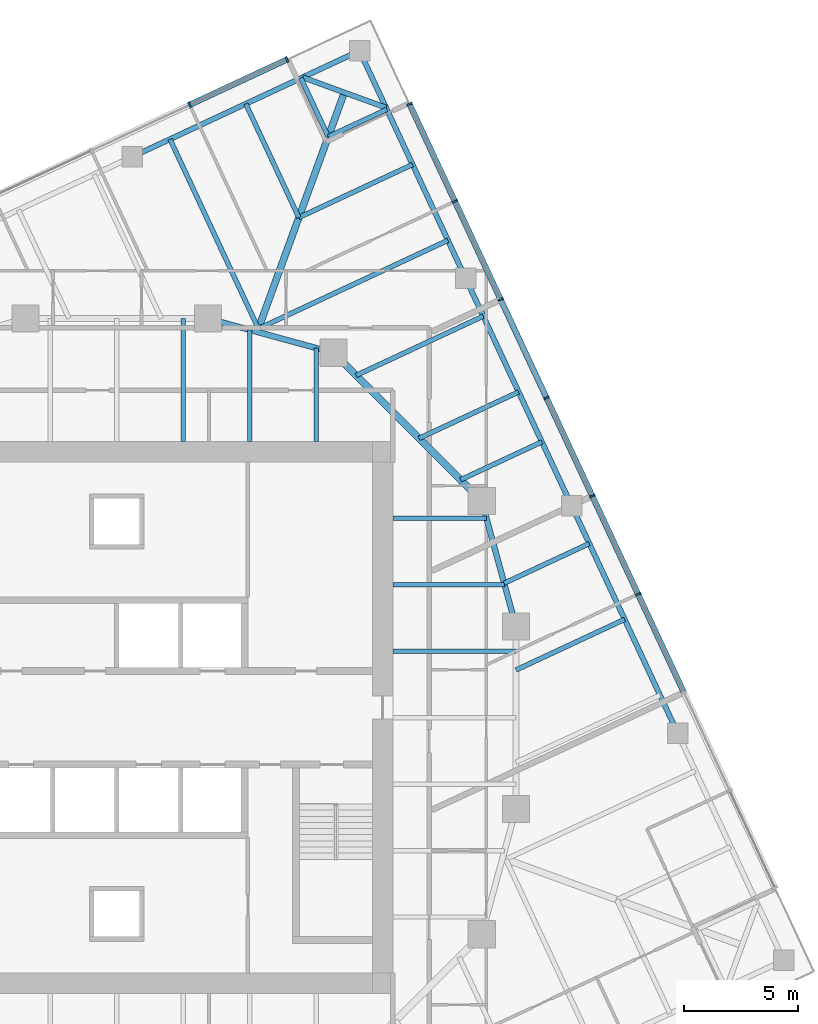
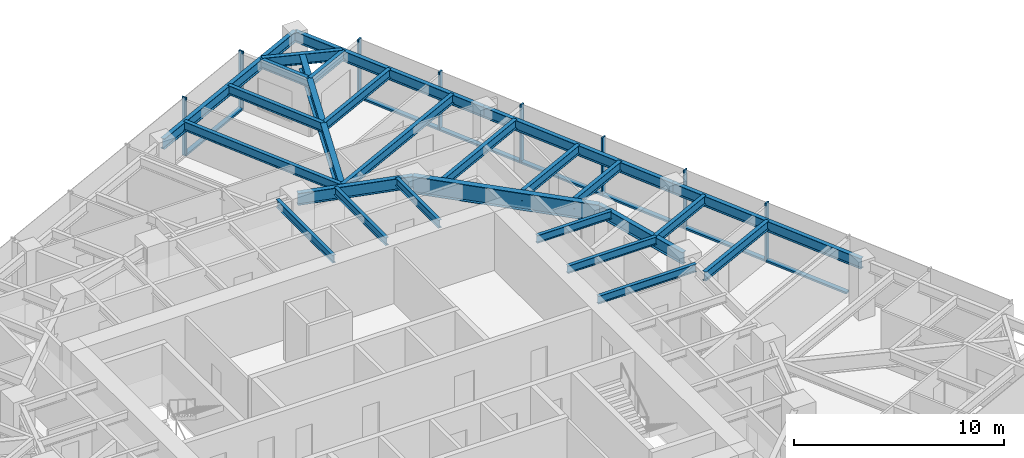
# One storey, part 5 of 12: 26 beams, 15 members, 2 elements without a shape of their own.
"""IFC4 building model written with IfcOpenShell, lengths in metres."""

from ifc_helpers import new_model, si_unit, direction, frame, origin, origin_2d, place, context, subcontext, project, spatial, rectangle, i_section, extrude, material, material_profile, profile_set, type_object, element, aggregate, save


model = new_model("IFC4")

# Units and contexts
model_context = context("Model", 3, precision=1e-05, world=origin(), true_north=direction((0.0, 1.0)))
body_context = subcontext(model_context, "Body", "Model", "MODEL_VIEW")
ifc_project = project(units=[si_unit("LENGTHUNIT", "METRE"), si_unit("AREAUNIT", "SQUARE_METRE"), si_unit("VOLUMEUNIT", "CUBIC_METRE"), si_unit("PLANEANGLEUNIT", "RADIAN"), si_unit("MASSUNIT", "GRAM", prefix="KILO")], contexts=[model_context])

# Site, building, storey
site_placement = place(None, origin())
site = spatial("IfcSite", under=ifc_project, at=site_placement, CompositionType="ELEMENT")
building_placement = place(site_placement, origin())
building = spatial("IfcBuilding", under=site, at=building_placement, Name="Torsade Residences", CompositionType="ELEMENT")
storey_placement = place(building_placement, frame((0.0, 0.0, 189.60009765625)))
storey = spatial("IfcBuildingStorey", under=building, at=storey_placement, Name="L52", CompositionType="ELEMENT", Elevation=189.60009765625)

# Beams
ifc_material_1 = material(Name="Steel grade 300", Category="steel")
ifc_material_profile_1 = material_profile(ifc_material_1, i_section(OverallWidth=0.300048828125, OverallDepth=0.89990234375, WebThickness=0.011962890625, FlangeThickness=0.02490234375, at=origin_2d()), Name="900WB175")
ifc_profile_set_1 = profile_set([ifc_material_profile_1], Name="Steel grade 300")
beam_type_1 = type_object("IfcBeamType", Name="CORNER GIRDER 900WB175", PredefinedType="BEAM", material=ifc_profile_set_1)
beam_1_placement = place(storey_placement, frame((49.97607421875, 57.4091796875, 2.7998046875), z_axis=(-0.342015044723, -0.93969447651, 0.0), x_axis=(0.93969447651, -0.342015044723, 0.0)))
element("IfcBeam", 1, at=beam_1_placement, inside=storey, type_object=beam_type_1, Name="Corner girder 09 L53", PredefinedType="BEAM", context=body_context, shape_type="SweptSolid", body=[
    extrude(i_section(OverallWidth=0.300048828125, OverallDepth=0.89990234375, WebThickness=0.011962890625, FlangeThickness=0.02490234375, at=origin_2d()), origin(), (0.0, 0.0, 1.0), 11.170654296875),
])
ifc_material_2 = material(Name="Steel grade 300", Category="steel")
ifc_material_profile_2 = material_profile(ifc_material_2, i_section(OverallWidth=0.22802734375, OverallDepth=0.60205078125, WebThickness=0.010498046875, FlangeThickness=0.014892578125, FilletRadius=0.013916015625, at=origin_2d()), Name="610UB101")
ifc_profile_set_2 = profile_set([ifc_material_profile_2], Name="Steel grade 300")
beam_type_2 = type_object("IfcBeamType", Name="CORNER TRIMMER 610UB101", PredefinedType="BEAM", material=ifc_profile_set_2)
beam_2_placement = place(storey_placement, frame((48.14892578125, 58.07421875, 2.948974609375), z_axis=(0.939698076972, -0.342005152204, 0.0), x_axis=(0.342005152204, 0.939698076972, 0.0)))
element("IfcBeam", 2, at=beam_2_placement, inside=storey, type_object=beam_type_2, Name="Corner trimmer 09 L53", PredefinedType="BEAM", context=body_context, shape_type="SweptSolid", body=[
    extrude(i_section(OverallWidth=0.22802734375, OverallDepth=0.60205078125, WebThickness=0.010498046875, FlangeThickness=0.014892578125, FilletRadius=0.013916015625, at=origin_2d()), origin(), (0.0, 0.0, 1.0), 3.88916015625),
])
ifc_material_3 = material(Name="Steel grade 300", Category="steel")
ifc_material_profile_3 = material_profile(ifc_material_3, i_section(OverallWidth=0.22900390625, OverallDepth=0.612060546875, WebThickness=0.011962890625, FlangeThickness=0.01953125, FilletRadius=0.013916015625, at=origin_2d()), Name="610UB125")
ifc_profile_set_3 = profile_set([ifc_material_profile_3], Name="Steel grade 300")
beam_type_3 = type_object("IfcBeamType", Name="EDGE BEAM 610UB125", PredefinedType="SPANDREL", material=ifc_profile_set_3)
beam_3_placement = place(storey_placement, frame((64.587646484375, 29.328125, 2.94384765625), z_axis=(-0.422624219007, 0.906305009094, 0.0), x_axis=(-0.906305009094, -0.422624219007, 0.0)))
element("IfcBeam", 3, at=beam_3_placement, inside=storey, type_object=beam_type_3, Name="Edge beam 06 L53", PredefinedType="SPANDREL", context=body_context, shape_type="SweptSolid", body=[
    extrude(i_section(OverallWidth=0.22900390625, OverallDepth=0.612060546875, WebThickness=0.011962890625, FlangeThickness=0.01953125, FilletRadius=0.013916015625, at=origin_2d()), origin(), (0.0, 0.0, 1.0), 11.000244140625),
])
for number, where, z_axis, x_axis, name in (
    (4, (59.938720703125, 39.297607421875, 2.94384765625), (-0.422605988587, 0.906313510001, 0.0), (-0.906313510001, -0.422605988587, 0.0), "Edge beam 07 L53"),
    (5, (55.2900390625, 49.26708984375, 2.94384765625), (-0.422632720171, 0.90630104482, 0.0), (-0.90630104482, -0.422632720171, 0.0), "Edge beam 08 L53"),
):
    element("IfcBeam", number, at=place(storey_placement, frame(where, z_axis=z_axis, x_axis=x_axis)), inside=storey, type_object=beam_type_3, Name=name, PredefinedType="SPANDREL", context=body_context, shape_type="SweptSolid", body=[
        extrude(i_section(OverallWidth=0.22900390625, OverallDepth=0.612060546875, WebThickness=0.011962890625, FlangeThickness=0.01953125, FilletRadius=0.013916015625, at=origin_2d()), origin(), (0.0, 0.0, 1.0), 11.0),
    ])
beam_4_placement = place(storey_placement, frame((50.64111328125, 59.236328125, 2.94384765625), z_axis=(-0.906309546032, -0.422614489543, 0.0), x_axis=(0.422614489543, -0.906309546032, 0.0)))
element("IfcBeam", 6, at=beam_4_placement, inside=storey, type_object=beam_type_3, Name="Edge beam 09 L53", PredefinedType="SPANDREL", context=body_context, shape_type="SweptSolid", body=[
    extrude(i_section(OverallWidth=0.22900390625, OverallDepth=0.612060546875, WebThickness=0.011962890625, FlangeThickness=0.01953125, FilletRadius=0.013916015625, at=origin_2d()), origin(), (0.0, 0.0, 1.0), 10.999755859375),
])
ifc_material_4 = material(Name="Steel grade 300", Category="steel")
ifc_material_profile_4 = material_profile(ifc_material_4, i_section(OverallWidth=0.18994140625, OverallDepth=0.4541015625, WebThickness=0.008544921875, FlangeThickness=0.0126953125, FilletRadius=0.011474609375, at=origin_2d()), Name="460UB67.1")
ifc_profile_set_4 = profile_set([ifc_material_profile_4], Name="Steel grade 300")
beam_type_4 = type_object("IfcBeamType", Name="INNER FLOOR BEAM 460UB67.1", PredefinedType="JOIST", material=ifc_profile_set_4)
beam_5_placement = place(storey_placement, frame((42.91259765625, 42.10009765625, 3.02294921875), z_axis=(0.0, 1.0, 0.0), x_axis=(-1.0, 0.0, 0.0)))
element("IfcBeam", 7, at=beam_5_placement, inside=storey, type_object=beam_type_4, Name="Inner floor beam IN05 L53", PredefinedType="JOIST", context=body_context, shape_type="SweptSolid", body=[
    extrude(i_section(OverallWidth=0.18994140625, OverallDepth=0.4541015625, WebThickness=0.008544921875, FlangeThickness=0.0126953125, FilletRadius=0.011474609375, at=origin_2d()), origin(), (0.0, 0.0, 1.0), 5.39990234375),
])
beam_6_placement = place(storey_placement, frame((45.824951171875, 42.10009765625, 3.02294921875), z_axis=(0.0, 1.0, 0.0), x_axis=(-1.0, 0.0, 0.0)))
element("IfcBeam", 8, at=beam_6_placement, inside=storey, type_object=beam_type_4, Name="Inner floor beam IN06 L53", PredefinedType="JOIST", context=body_context, shape_type="SweptSolid", body=[
    extrude(i_section(OverallWidth=0.18994140625, OverallDepth=0.4541015625, WebThickness=0.008544921875, FlangeThickness=0.0126953125, FilletRadius=0.011474609375, at=origin_2d()), origin(), (0.0, 0.0, 1.0), 4.902099609375),
])
beam_7_placement = place(storey_placement, frame((48.737548828125, 42.10009765625, 3.02294921875), z_axis=(0.0, 1.0, 0.0), x_axis=(-1.0, 0.0, 0.0)))
element("IfcBeam", 9, at=beam_7_placement, inside=storey, type_object=beam_type_4, Name="Inner floor beam IN07 L53", PredefinedType="JOIST", context=body_context, shape_type="SweptSolid", body=[
    extrude(i_section(OverallWidth=0.18994140625, OverallDepth=0.4541015625, WebThickness=0.008544921875, FlangeThickness=0.0126953125, FilletRadius=0.011474609375, at=origin_2d()), origin(), (0.0, 0.0, 1.0), 4.10791015625),
])
beam_8_placement = place(storey_placement, frame((52.10009765625, 32.91259765625, 3.02294921875), z_axis=(1.0, 0.0, 0.0), x_axis=(0.0, 1.0, 0.0)))
element("IfcBeam", 10, at=beam_8_placement, inside=storey, type_object=beam_type_4, Name="Inner floor beam IE05 L53", PredefinedType="JOIST", context=body_context, shape_type="SweptSolid", body=[
    extrude(i_section(OverallWidth=0.18994140625, OverallDepth=0.4541015625, WebThickness=0.008544921875, FlangeThickness=0.0126953125, FilletRadius=0.011474609375, at=origin_2d()), origin(), (0.0, 0.0, 1.0), 5.39990234375),
])
beam_9_placement = place(storey_placement, frame((52.10009765625, 35.824951171875, 3.02294921875), z_axis=(1.0, 0.0, 0.0), x_axis=(0.0, 1.0, 0.0)))
element("IfcBeam", 11, at=beam_9_placement, inside=storey, type_object=beam_type_4, Name="Inner floor beam IE06 L53", PredefinedType="JOIST", context=body_context, shape_type="SweptSolid", body=[
    extrude(i_section(OverallWidth=0.18994140625, OverallDepth=0.4541015625, WebThickness=0.008544921875, FlangeThickness=0.0126953125, FilletRadius=0.011474609375, at=origin_2d()), origin(), (0.0, 0.0, 1.0), 4.902099609375),
])
beam_10_placement = place(storey_placement, frame((52.10009765625, 38.737548828125, 3.02294921875), z_axis=(1.0, 0.0, 0.0), x_axis=(0.0, 1.0, 0.0)))
element("IfcBeam", 12, at=beam_10_placement, inside=storey, type_object=beam_type_4, Name="Inner floor beam IE07 L53", PredefinedType="JOIST", context=body_context, shape_type="SweptSolid", body=[
    extrude(i_section(OverallWidth=0.18994140625, OverallDepth=0.4541015625, WebThickness=0.008544921875, FlangeThickness=0.0126953125, FilletRadius=0.011474609375, at=origin_2d()), origin(), (0.0, 0.0, 1.0), 4.10791015625),
])

# Curtain wall, members
ifc_material_5 = material(Name="Aluminium and glass", Category="aluminium")
curtain_wall_type = type_object("IfcCurtainWallType", Name="FRITTED GLASS CURTAIN WALL MID ZONE", PredefinedType="NOTDEFINED", material=ifc_material_5)
curtain_wall_1_placement = place(storey_placement, origin())
curtain_wall_1 = element("IfcCurtainWall", 13, at=curtain_wall_1_placement, inside=storey, type_object=curtain_wall_type, Name="Curtain wall L52 face 4", PredefinedType="NOTDEFINED")
ifc_material_6 = material(Name="Aluminium mullion", Category="aluminium")
ifc_material_profile_5 = material_profile(ifc_material_6, rectangle(XDim=0.25, YDim=0.080078125, at=origin_2d()), Name="MID ZONE CURTAIN WALL MULLION 250x80")
ifc_profile_set_5 = profile_set([ifc_material_profile_5], Name="Aluminium mullion")
member_type_1 = type_object("IfcMemberType", Name="MID ZONE CURTAIN WALL MULLION 250x80", PredefinedType="MULLION", material=ifc_profile_set_5)
member_1_placement = place(storey_placement, frame((62.8525390625, 35.415283203125, 0.0), z_axis=(0.0, 0.0, 1.0), x_axis=(-0.906307786926, -0.422618261978, 0.0)))
member_1 = element("IfcMember", 14, at=member_1_placement, type_object=member_type_1, Name="Mullion 4", PredefinedType="MULLION", context=body_context, shape_type="SweptSolid", body=[
    extrude(rectangle(XDim=0.25, YDim=0.080078125, at=origin_2d()), origin(), (0.0, 0.0, 1.0), 3.39990234375),
])
member_2_placement = place(storey_placement, frame((60.844970703125, 39.72021484375, 0.0), z_axis=(0.0, 0.0, 1.0), x_axis=(-0.906307786926, -0.422618261978, 0.0)))
member_2 = element("IfcMember", 15, at=member_2_placement, type_object=member_type_1, Name="Mullion 5", PredefinedType="MULLION", context=body_context, shape_type="SweptSolid", body=[
    extrude(rectangle(XDim=0.25, YDim=0.080078125, at=origin_2d()), origin(), (0.0, 0.0, 1.0), 3.39990234375),
])
member_3_placement = place(storey_placement, frame((58.837646484375, 44.025146484375, 0.0), z_axis=(0.0, 0.0, 1.0), x_axis=(-0.906307786926, -0.422618261978, 0.0)))
member_3 = element("IfcMember", 16, at=member_3_placement, type_object=member_type_1, Name="Mullion 6", PredefinedType="MULLION", context=body_context, shape_type="SweptSolid", body=[
    extrude(rectangle(XDim=0.25, YDim=0.080078125, at=origin_2d()), origin(), (0.0, 0.0, 1.0), 3.39990234375),
])
member_4_placement = place(storey_placement, frame((56.830322265625, 48.330078125, 0.0), z_axis=(0.0, 0.0, 1.0), x_axis=(-0.906307786926, -0.422618261978, 0.0)))
member_4 = element("IfcMember", 17, at=member_4_placement, type_object=member_type_1, Name="Mullion 7", PredefinedType="MULLION", context=body_context, shape_type="SweptSolid", body=[
    extrude(rectangle(XDim=0.25, YDim=0.080078125, at=origin_2d()), origin(), (0.0, 0.0, 1.0), 3.39990234375),
])
member_5_placement = place(storey_placement, frame((54.82275390625, 52.635009765625, 0.0), z_axis=(0.0, 0.0, 1.0), x_axis=(-0.906307786926, -0.422618261978, 0.0)))
member_5 = element("IfcMember", 18, at=member_5_placement, type_object=member_type_1, Name="Mullion 8", PredefinedType="MULLION", context=body_context, shape_type="SweptSolid", body=[
    extrude(rectangle(XDim=0.25, YDim=0.080078125, at=origin_2d()), origin(), (0.0, 0.0, 1.0), 3.39990234375),
])
member_6_placement = place(storey_placement, frame((52.832275390625, 56.90380859375, 0.0), z_axis=(0.0, 0.0, 1.0), x_axis=(-0.906307786926, -0.422618261978, 0.0)))
member_6 = element("IfcMember", 19, at=member_6_placement, type_object=member_type_1, Name="Mullion 9", PredefinedType="MULLION", context=body_context, shape_type="SweptSolid", body=[
    extrude(rectangle(XDim=0.25, YDim=0.080078125, at=origin_2d()), origin(), (0.0, 0.0, 1.0), 3.39990234375),
])

curtain_wall_2_placement = place(storey_placement, origin())
curtain_wall_2 = element("IfcCurtainWall", 20, at=curtain_wall_2_placement, inside=storey, type_object=curtain_wall_type, Name="Curtain wall L52 face 7", PredefinedType="NOTDEFINED")
member_7_placement = place(storey_placement, frame((47.46337890625, 58.85791015625, 0.0), z_axis=(0.0, 0.0, 1.0), x_axis=(0.422618261978, -0.906307786926, 0.0)))
member_7 = element("IfcMember", 21, at=member_7_placement, type_object=member_type_1, Name="Mullion 1", PredefinedType="MULLION", context=body_context, shape_type="SweptSolid", body=[
    extrude(rectangle(XDim=0.25, YDim=0.080078125, at=origin_2d()), origin(), (0.0, 0.0, 1.0), 3.39990234375),
])
member_8_placement = place(storey_placement, frame((43.194580078125, 56.867431640625, 0.0), z_axis=(0.0, 0.0, 1.0), x_axis=(0.422618261978, -0.906307786926, 0.0)))
member_8 = element("IfcMember", 22, at=member_8_placement, type_object=member_type_1, Name="Mullion 2", PredefinedType="MULLION", context=body_context, shape_type="SweptSolid", body=[
    extrude(rectangle(XDim=0.25, YDim=0.080078125, at=origin_2d()), origin(), (0.0, 0.0, 1.0), 3.39990234375),
])

# Member
ifc_material_7 = material(Name="Aluminium transom", Category="aluminium")
ifc_material_profile_6 = material_profile(ifc_material_7, rectangle(XDim=0.25, YDim=0.110107421875, at=origin_2d()), Name="MID ZONE CURTAIN WALL TRANSOM 250x110")
ifc_profile_set_6 = profile_set([ifc_material_profile_6], Name="Aluminium transom")
member_type_2 = type_object("IfcMemberType", Name="MID ZONE CURTAIN WALL TRANSOM 250x110", PredefinedType="USERDEFINED", material=ifc_profile_set_6)
member_9_placement = place(storey_placement, frame((64.843017578125, 31.146484375, 0.054931640625), z_axis=(-0.422622145291, 0.906305976097, 0.0), x_axis=(-0.906305976097, -0.422622145291, 0.0)))
member_9 = element("IfcMember", 23, at=member_9_placement, type_object=member_type_2, Name="Transom 3.1", ObjectType="TRANSOM", PredefinedType="USERDEFINED", context=body_context, shape_type="SweptSolid", body=[
    extrude(rectangle(XDim=0.25, YDim=0.110107421875, at=origin_2d()), origin(), (0.0, 0.0, 1.0), 4.669921875),
])

member_10_placement = place(storey_placement, frame((62.835693359375, 35.451416015625, 0.054931640625), z_axis=(-0.422602122035, 0.90631531293, 0.0), x_axis=(-0.90631531293, -0.422602122035, 0.0)))
member_10 = element("IfcMember", 24, at=member_10_placement, type_object=member_type_2, Name="Transom 4.1", ObjectType="TRANSOM", PredefinedType="USERDEFINED", context=body_context, shape_type="SweptSolid", body=[
    extrude(rectangle(XDim=0.25, YDim=0.110107421875, at=origin_2d()), origin(), (0.0, 0.0, 1.0), 4.670166015625),
])

member_11_placement = place(storey_placement, frame((60.828125, 39.756591796875, 0.054931640625), z_axis=(-0.422622145291, 0.906305976097, 0.0), x_axis=(-0.906305976097, -0.422622145291, 0.0)))
member_11 = element("IfcMember", 25, at=member_11_placement, type_object=member_type_2, Name="Transom 5.1", ObjectType="TRANSOM", PredefinedType="USERDEFINED", context=body_context, shape_type="SweptSolid", body=[
    extrude(rectangle(XDim=0.25, YDim=0.110107421875, at=origin_2d()), origin(), (0.0, 0.0, 1.0), 4.669921875),
])

member_12_placement = place(storey_placement, frame((58.82080078125, 44.0615234375, 0.054931640625), z_axis=(-0.422622145291, 0.906305976097, 0.0), x_axis=(-0.906305976097, -0.422622145291, 0.0)))
member_12 = element("IfcMember", 26, at=member_12_placement, type_object=member_type_2, Name="Transom 6.1", ObjectType="TRANSOM", PredefinedType="USERDEFINED", context=body_context, shape_type="SweptSolid", body=[
    extrude(rectangle(XDim=0.25, YDim=0.110107421875, at=origin_2d()), origin(), (0.0, 0.0, 1.0), 4.669921875),
])

member_13_placement = place(storey_placement, frame((56.813232421875, 48.366455078125, 0.054931640625), z_axis=(-0.422622145291, 0.906305976097, 0.0), x_axis=(-0.906305976097, -0.422622145291, 0.0)))
member_13 = element("IfcMember", 27, at=member_13_placement, type_object=member_type_2, Name="Transom 7.1", ObjectType="TRANSOM", PredefinedType="USERDEFINED", context=body_context, shape_type="SweptSolid", body=[
    extrude(rectangle(XDim=0.25, YDim=0.110107421875, at=origin_2d()), origin(), (0.0, 0.0, 1.0), 4.669921875),
])

member_14_placement = place(storey_placement, frame((54.805908203125, 52.67138671875, 0.054931640625), z_axis=(-0.422622764878, 0.906305687176, 0.0), x_axis=(-0.906305687176, -0.422622764878, 0.0)))
member_14 = element("IfcMember", 28, at=member_14_placement, type_object=member_type_2, Name="Transom 8.1", ObjectType="TRANSOM", PredefinedType="USERDEFINED", context=body_context, shape_type="SweptSolid", body=[
    extrude(rectangle(XDim=0.25, YDim=0.110107421875, at=origin_2d()), origin(), (0.0, 0.0, 1.0), 4.630126953125),
])

aggregate(curtain_wall_1, [member_1, member_2, member_3, member_4, member_5, member_6, member_9, member_10, member_11, member_12, member_13, member_14])

member_15_placement = place(storey_placement, frame((47.427001953125, 58.841064453125, 0.054931640625), z_axis=(-0.906296268578, -0.422642962277, 0.0), x_axis=(0.422642962277, -0.906296268578, 0.0)))
member_15 = element("IfcMember", 29, at=member_15_placement, type_object=member_type_2, Name="Transom 1.1", ObjectType="TRANSOM", PredefinedType="USERDEFINED", context=body_context, shape_type="SweptSolid", body=[
    extrude(rectangle(XDim=0.25, YDim=0.110107421875, at=origin_2d()), origin(), (0.0, 0.0, 1.0), 4.6298828125),
])

aggregate(curtain_wall_2, [member_7, member_8, member_15])

# Beams
ifc_material_8 = material(Name="Steel grade 300", Category="steel")
ifc_material_profile_7 = material_profile(ifc_material_8, i_section(OverallWidth=0.300048828125, OverallDepth=1.0, WebThickness=0.01611328125, FlangeThickness=0.028076171875, at=origin_2d()), Name="1000WB215")
ifc_profile_set_7 = profile_set([ifc_material_profile_7], Name="Steel grade 300")
beam_type_5 = type_object("IfcBeamType", Name="RING CORNER GIRDER 1000WB215", PredefinedType="BEAM", material=ifc_profile_set_7)
beam_11_placement = place(storey_placement, frame((56.0, 39.5, 2.75), z_axis=(-0.707106781187, 0.707106781187, 0.0), x_axis=(-0.707106781187, -0.707106781187, 0.0)))
element("IfcBeam", 30, at=beam_11_placement, inside=storey, type_object=beam_type_5, Name="Ring girder IR03 L53", PredefinedType="BEAM", context=body_context, shape_type="SweptSolid", body=[
    extrude(i_section(OverallWidth=0.300048828125, OverallDepth=1.0, WebThickness=0.01611328125, FlangeThickness=0.028076171875, at=origin_2d()), origin(), (0.0, 0.0, 1.0), 9.1923828125),
])
ifc_material_9 = material(Name="Steel grade 300", Category="steel")
ifc_material_profile_8 = material_profile(ifc_material_9, i_section(OverallWidth=0.25, OverallDepth=0.699951171875, WebThickness=0.010009765625, FlangeThickness=0.02001953125, at=origin_2d()), Name="700WB130")
ifc_profile_set_8 = profile_set([ifc_material_profile_8], Name="Steel grade 300")
beam_type_6 = type_object("IfcBeamType", Name="RING GIRDER 700WB130", PredefinedType="BEAM", material=ifc_profile_set_8)
for number, where, z_axis, x_axis, name in (
    (31, (57.5, 34.0, 2.89990234375), (-0.263117405792, 0.964763821238, 0.0), (-0.964763821238, -0.263117405792, 0.0), "Ring girder IR02 L53"),
    (32, (49.5, 46.0, 2.89990234375), (-0.964763821238, 0.263117405792, 0.0), (-0.263117405792, -0.964763821238, 0.0), "Ring girder IR04 L53"),
):
    element("IfcBeam", number, at=place(storey_placement, frame(where, z_axis=z_axis, x_axis=x_axis)), inside=storey, type_object=beam_type_6, Name=name, PredefinedType="BEAM", context=body_context, shape_type="SweptSolid", body=[
        extrude(i_section(OverallWidth=0.25, OverallDepth=0.699951171875, WebThickness=0.010009765625, FlangeThickness=0.02001953125, at=origin_2d()), origin(), (0.0, 0.0, 1.0), 5.700927734375),
    ])
ifc_material_10 = material(Name="Steel grade 300", Category="steel")
ifc_material_profile_9 = material_profile(ifc_material_10, i_section(OverallWidth=0.208984375, OverallDepth=0.528076171875, WebThickness=0.009521484375, FlangeThickness=0.01318359375, FilletRadius=0.013916015625, at=origin_2d()), Name="530UB82.0")
ifc_profile_set_9 = profile_set([ifc_material_profile_9], Name="Steel grade 300")
beam_type_7 = type_object("IfcBeamType", Name="SECONDARY BEAM 530UB82.0", PredefinedType="JOIST", material=ifc_profile_set_9)
beam_12_placement = place(storey_placement, frame((62.26318359375, 34.31298828125, 2.98583984375), z_axis=(-0.90630178035, -0.422631142882, 0.0), x_axis=(0.422631142882, -0.90630178035, 0.0)))
element("IfcBeam", 33, at=beam_12_placement, inside=storey, type_object=beam_type_7, Name="Floor beam FE05 L53", PredefinedType="JOIST", context=body_context, shape_type="SweptSolid", body=[
    extrude(i_section(OverallWidth=0.208984375, OverallDepth=0.528076171875, WebThickness=0.009521484375, FlangeThickness=0.01318359375, FilletRadius=0.013916015625, at=origin_2d()), origin(), (0.0, 0.0, 1.0), 5.255615234375),
])
beam_13_placement = place(storey_placement, frame((60.713623046875, 37.635986328125, 2.98583984375), z_axis=(-0.906299775267, -0.422635442612, 0.0), x_axis=(0.422635442612, -0.906299775267, 0.0)))
element("IfcBeam", 34, at=beam_13_placement, inside=storey, type_object=beam_type_7, Name="Floor beam FE06 L53", PredefinedType="JOIST", context=body_context, shape_type="SweptSolid", body=[
    extrude(i_section(OverallWidth=0.208984375, OverallDepth=0.528076171875, WebThickness=0.009521484375, FlangeThickness=0.01318359375, FilletRadius=0.013916015625, at=origin_2d()), origin(), (0.0, 0.0, 1.0), 4.116455078125),
])
beam_14_placement = place(storey_placement, frame((58.6357421875, 42.092041015625, 2.98583984375), z_axis=(-0.906295680735, -0.422644222818, 0.0), x_axis=(0.422644222818, -0.906295680735, 0.0)))
element("IfcBeam", 35, at=beam_14_placement, inside=storey, type_object=beam_type_7, Name="Floor beam FE07 L53", PredefinedType="JOIST", context=body_context, shape_type="SweptSolid", body=[
    extrude(i_section(OverallWidth=0.208984375, OverallDepth=0.528076171875, WebThickness=0.009521484375, FlangeThickness=0.01318359375, FilletRadius=0.013916015625, at=origin_2d()), origin(), (0.0, 0.0, 1.0), 3.933837890625),
])
beam_15_placement = place(storey_placement, frame((57.6142578125, 44.2822265625, 2.98583984375), z_axis=(-0.906307500203, -0.422618876857, 0.0), x_axis=(0.422618876857, -0.906307500203, 0.0)))
element("IfcBeam", 36, at=beam_15_placement, inside=storey, type_object=beam_type_7, Name="Floor beam FE08 L53", PredefinedType="JOIST", context=body_context, shape_type="SweptSolid", body=[
    extrude(i_section(OverallWidth=0.208984375, OverallDepth=0.528076171875, WebThickness=0.009521484375, FlangeThickness=0.01318359375, FilletRadius=0.013916015625, at=origin_2d()), origin(), (0.0, 0.0, 1.0), 4.813232421875),
])
beam_16_placement = place(storey_placement, frame((56.064697265625, 47.60546875, 2.98583984375), z_axis=(-0.906293692233, -0.42264848683, 0.0), x_axis=(0.42264848683, -0.906293692233, 0.0)))
element("IfcBeam", 37, at=beam_16_placement, inside=storey, type_object=beam_type_7, Name="Floor beam FE09 L53", PredefinedType="JOIST", context=body_context, shape_type="SweptSolid", body=[
    extrude(i_section(OverallWidth=0.208984375, OverallDepth=0.528076171875, WebThickness=0.009521484375, FlangeThickness=0.01318359375, FilletRadius=0.013916015625, at=origin_2d()), origin(), (0.0, 0.0, 1.0), 6.14794921875),
])
beam_17_placement = place(storey_placement, frame((54.51513671875, 50.928466796875, 2.98583984375), z_axis=(-0.90630761667, -0.422618627092, 0.0), x_axis=(0.422618627092, -0.90630761667, 0.0)))
element("IfcBeam", 38, at=beam_17_placement, inside=storey, type_object=beam_type_7, Name="Floor beam FE10 L53", PredefinedType="JOIST", context=body_context, shape_type="SweptSolid", body=[
    extrude(i_section(OverallWidth=0.208984375, OverallDepth=0.528076171875, WebThickness=0.009521484375, FlangeThickness=0.01318359375, FilletRadius=0.013916015625, at=origin_2d()), origin(), (0.0, 0.0, 1.0), 9.166748046875),
])
beam_18_placement = place(storey_placement, frame((52.965576171875, 54.251708984375, 2.98583984375), z_axis=(-0.90630104482, -0.422632720171, 0.0), x_axis=(0.422632720171, -0.90630104482, 0.0)))
element("IfcBeam", 39, at=beam_18_placement, inside=storey, type_object=beam_type_7, Name="Floor beam FE11 L53", PredefinedType="JOIST", context=body_context, shape_type="SweptSolid", body=[
    extrude(i_section(OverallWidth=0.208984375, OverallDepth=0.528076171875, WebThickness=0.009521484375, FlangeThickness=0.01318359375, FilletRadius=0.013916015625, at=origin_2d()), origin(), (0.0, 0.0, 1.0), 5.5),
])
for number, where, z_axis, x_axis, name in (
    (40, (51.838623046875, 56.66845703125, 2.98583984375), (-0.906328379221, -0.42257409885, 0.0), (0.42257409885, -0.906328379221, 0.0), "Floor beam FE12 L53"),
    (41, (48.0732421875, 58.0390625, 2.98583984375), (0.422644877104, -0.906295375613, 0.0), (0.906295375613, 0.422644877104, 0.0), "Floor beam FN01 L53"),
):
    element("IfcBeam", number, at=place(storey_placement, frame(where, z_axis=z_axis, x_axis=x_axis)), inside=storey, type_object=beam_type_7, Name=name, PredefinedType="JOIST", context=body_context, shape_type="SweptSolid", body=[
        extrude(i_section(OverallWidth=0.208984375, OverallDepth=0.528076171875, WebThickness=0.009521484375, FlangeThickness=0.01318359375, FilletRadius=0.013916015625, at=origin_2d()), origin(), (0.0, 0.0, 1.0), 2.833251953125),
    ])
beam_19_placement = place(storey_placement, frame((45.656494140625, 56.911865234375, 2.98583984375), z_axis=(0.422632720171, -0.90630104482, 0.0), x_axis=(0.90630104482, 0.422632720171, 0.0)))
element("IfcBeam", 42, at=beam_19_placement, inside=storey, type_object=beam_type_7, Name="Floor beam FN02 L53", PredefinedType="JOIST", context=body_context, shape_type="SweptSolid", body=[
    extrude(i_section(OverallWidth=0.208984375, OverallDepth=0.528076171875, WebThickness=0.009521484375, FlangeThickness=0.01318359375, FilletRadius=0.013916015625, at=origin_2d()), origin(), (0.0, 0.0, 1.0), 5.5),
])
beam_20_placement = place(storey_placement, frame((42.333251953125, 55.3623046875, 2.98583984375), z_axis=(0.422618627092, -0.90630761667, 0.0), x_axis=(0.90630761667, 0.422618627092, 0.0)))
element("IfcBeam", 43, at=beam_20_placement, inside=storey, type_object=beam_type_7, Name="Floor beam FN03 L53", PredefinedType="JOIST", context=body_context, shape_type="SweptSolid", body=[
    extrude(i_section(OverallWidth=0.208984375, OverallDepth=0.528076171875, WebThickness=0.009521484375, FlangeThickness=0.01318359375, FilletRadius=0.013916015625, at=origin_2d()), origin(), (0.0, 0.0, 1.0), 9.166748046875),
])

save(model, "model.ifc")
